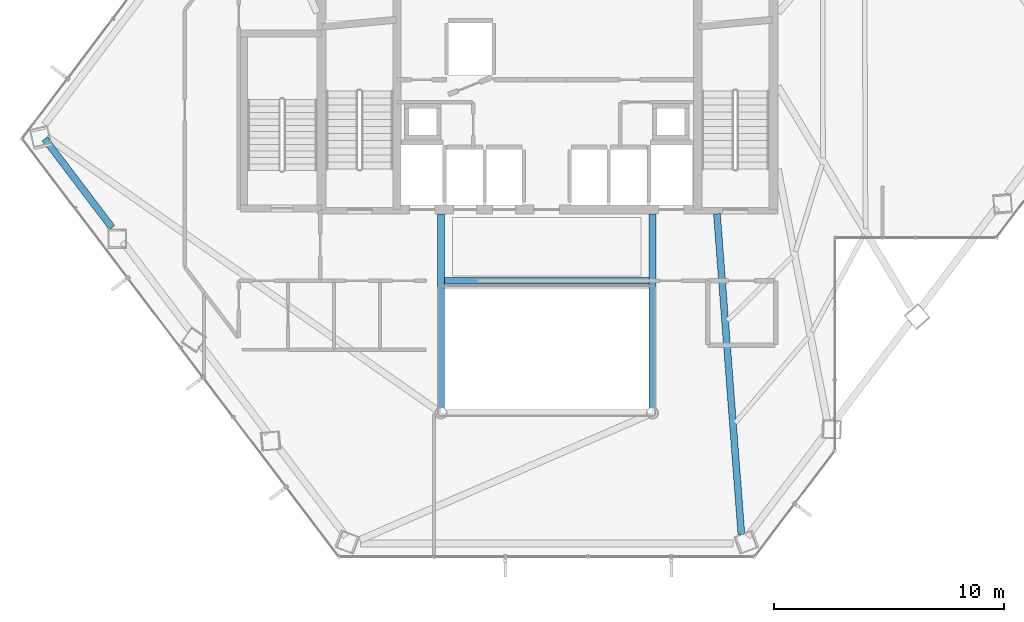
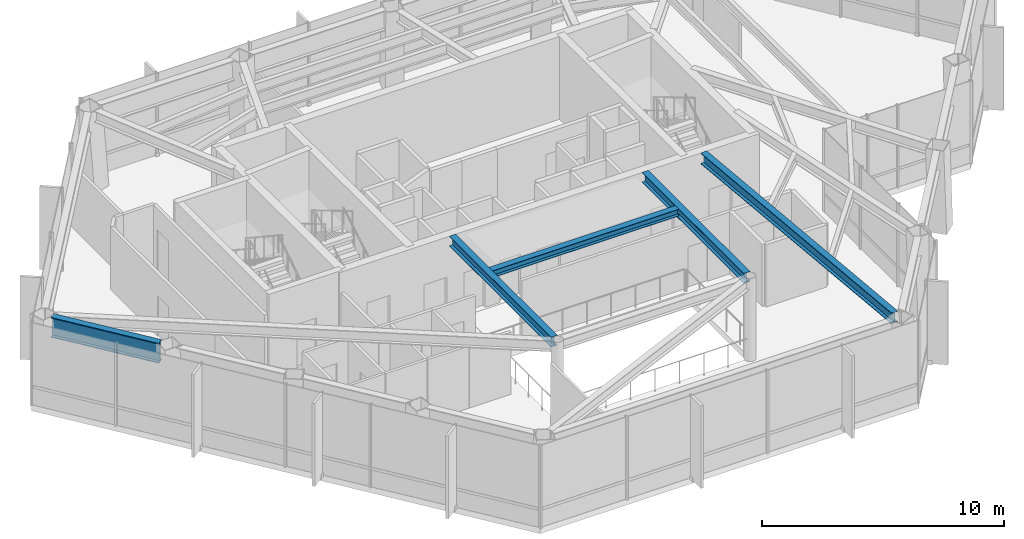
# One storey, part 9 of 25: 5 beams.
"""IFC4 building model written with IfcOpenShell, lengths in metres."""

from ifc_helpers import new_model, si_unit, direction, frame, origin, origin_2d, place, context, subcontext, project, spatial, i_section, extrude, material, material_profile, profile_set, type_object, element, save


model = new_model("IFC4")

# Units and contexts
model_context = context("Model", 3, precision=1e-05, world=origin(), true_north=direction((0.0, 1.0)))
body_context = subcontext(model_context, "Body", "Model", "MODEL_VIEW")
ifc_project = project(units=[si_unit("LENGTHUNIT", "METRE"), si_unit("AREAUNIT", "SQUARE_METRE"), si_unit("VOLUMEUNIT", "CUBIC_METRE"), si_unit("PLANEANGLEUNIT", "RADIAN"), si_unit("MASSUNIT", "GRAM", prefix="KILO")], contexts=[model_context])

# Site, building, storey
site_placement = place(None, origin())
site = spatial("IfcSite", under=ifc_project, at=site_placement, CompositionType="ELEMENT")
building_placement = place(site_placement, origin())
building = spatial("IfcBuilding", under=site, at=building_placement, Name="Zarrinselat Tower", CompositionType="ELEMENT")
storey_placement = place(building_placement, frame((0.0, 0.0, 119.0)))
storey = spatial("IfcBuildingStorey", under=building, at=storey_placement, Name="L28", CompositionType="ELEMENT", Elevation=119.0)

# Beams
ifc_material_1 = material(Name="Steel S355J2", Category="steel")
ifc_material_profile_1 = material_profile(ifc_material_1, i_section(OverallWidth=0.300048828125, OverallDepth=0.35009765625, WebThickness=0.010009765625, FlangeThickness=0.017578125, at=origin_2d()), Name="HEA 360")
ifc_profile_set_1 = profile_set([ifc_material_profile_1], Name="Steel S355J2")
beam_type_1 = type_object("IfcBeamType", Name="BM-HEA360", PredefinedType="LINTEL", material=ifc_profile_set_1)
beam_1_placement = place(storey_placement, frame((33.93994140625, 30.14990234375, 4.0048828125), z_axis=(1.0, 0.0, 0.0), x_axis=(0.0, 1.0, 0.0)))
element("IfcBeam", 1, at=beam_1_placement, inside=storey, type_object=beam_type_1, Name="L28 Lift Lobby Ceiling Beam", PredefinedType="LINTEL", context=body_context, shape_type="SweptSolid", body=[
    extrude(i_section(OverallWidth=0.300048828125, OverallDepth=0.35009765625, WebThickness=0.010009765625, FlangeThickness=0.017578125, at=origin_2d()), origin(), (0.0, 0.0, 1.0), 8.920166015625),
])
ifc_material_2 = material(Name="Steel S355J2", Category="steel")
ifc_material_profile_2 = material_profile(ifc_material_2, i_section(OverallWidth=0.300048828125, OverallDepth=0.5, WebThickness=0.014404296875, FlangeThickness=0.028076171875, at=origin_2d()), Name="HEB 500")
ifc_profile_set_2 = profile_set([ifc_material_profile_2], Name="Steel S355J2")
beam_type_2 = type_object("IfcBeamType", Name="BM-HEB500", PredefinedType="BEAM", material=ifc_profile_set_2)
for number, where, z_axis, x_axis, name in (
    (2, (33.800048828125, 24.639892578125, 3.929931640625), (0.0, 1.0, 0.0), (-1.0, 0.0, 0.0), "L28 Atrium Edge Beam W"),
    (3, (43.0, 24.639892578125, 3.929931640625), (0.0, 1.0, 0.0), (-1.0, 0.0, 0.0), "L28 Atrium Edge Beam E"),
):
    element("IfcBeam", number, at=place(storey_placement, frame(where, z_axis=z_axis, x_axis=x_axis)), inside=storey, type_object=beam_type_2, Name=name, PredefinedType="BEAM", context=body_context, shape_type="SweptSolid", body=[
        extrude(i_section(OverallWidth=0.300048828125, OverallDepth=0.5, WebThickness=0.014404296875, FlangeThickness=0.028076171875, at=origin_2d()), origin(), (0.0, 0.0, 1.0), 8.420166015625),
    ])
ifc_material_3 = material(Name="Steel S355J2", Category="steel")
ifc_material_profile_3 = material_profile(ifc_material_3, i_section(OverallWidth=0.300048828125, OverallDepth=0.550048828125, WebThickness=0.014892578125, FlangeThickness=0.029052734375, at=origin_2d()), Name="HEB 550")
ifc_profile_set_3 = profile_set([ifc_material_profile_3], Name="Steel S355J2")
beam_type_3 = type_object("IfcBeamType", Name="BM-HEB550", PredefinedType="BEAM", material=ifc_profile_set_3)
beam_2_placement = place(storey_placement, frame((45.800048828125, 33.06005859375, 3.905029296875), z_axis=(0.076105026411, -0.997099806918, 0.0), x_axis=(0.997099806918, 0.076105026411, 0.0)))
element("IfcBeam", 4, at=beam_2_placement, inside=storey, type_object=beam_type_3, Name="L28 Radial Primary Girder RG11", PredefinedType="BEAM", context=body_context, shape_type="SweptSolid", body=[
    extrude(i_section(OverallWidth=0.300048828125, OverallDepth=0.550048828125, WebThickness=0.014892578125, FlangeThickness=0.029052734375, at=origin_2d()), origin(), (0.0, 0.0, 1.0), 13.9833984375),
])
ifc_material_4 = material(Name="Steel S460M", Category="steel")
ifc_material_profile_4 = material_profile(ifc_material_4, i_section(OverallWidth=0.302001953125, OverallDepth=1.008056640625, WebThickness=0.02099609375, FlangeThickness=0.0400390625, at=origin_2d()), Name="HEM 1000")
ifc_profile_set_4 = profile_set([ifc_material_profile_4], Name="Steel S460M")
beam_type_4 = type_object("IfcBeamType", Name="BM-HEM1000", PredefinedType="BEAM", material=ifc_profile_set_4)
beam_3_placement = place(storey_placement, frame((16.5693359375, 36.319580078125, 3.676025390625), z_axis=(0.603865454398, -0.797086264456, 0.0), x_axis=(0.797086264456, 0.603865454398, 0.0)))
element("IfcBeam", 5, at=beam_3_placement, inside=storey, type_object=beam_type_4, Name="L28 Perimeter Spandrel Girder SP06", PredefinedType="BEAM", context=body_context, shape_type="SweptSolid", body=[
    extrude(i_section(OverallWidth=0.302001953125, OverallDepth=1.008056640625, WebThickness=0.02099609375, FlangeThickness=0.0400390625, at=origin_2d()), origin(), (0.0, 0.0, 1.0), 4.841796875),
])

save(model, "model.ifc")
